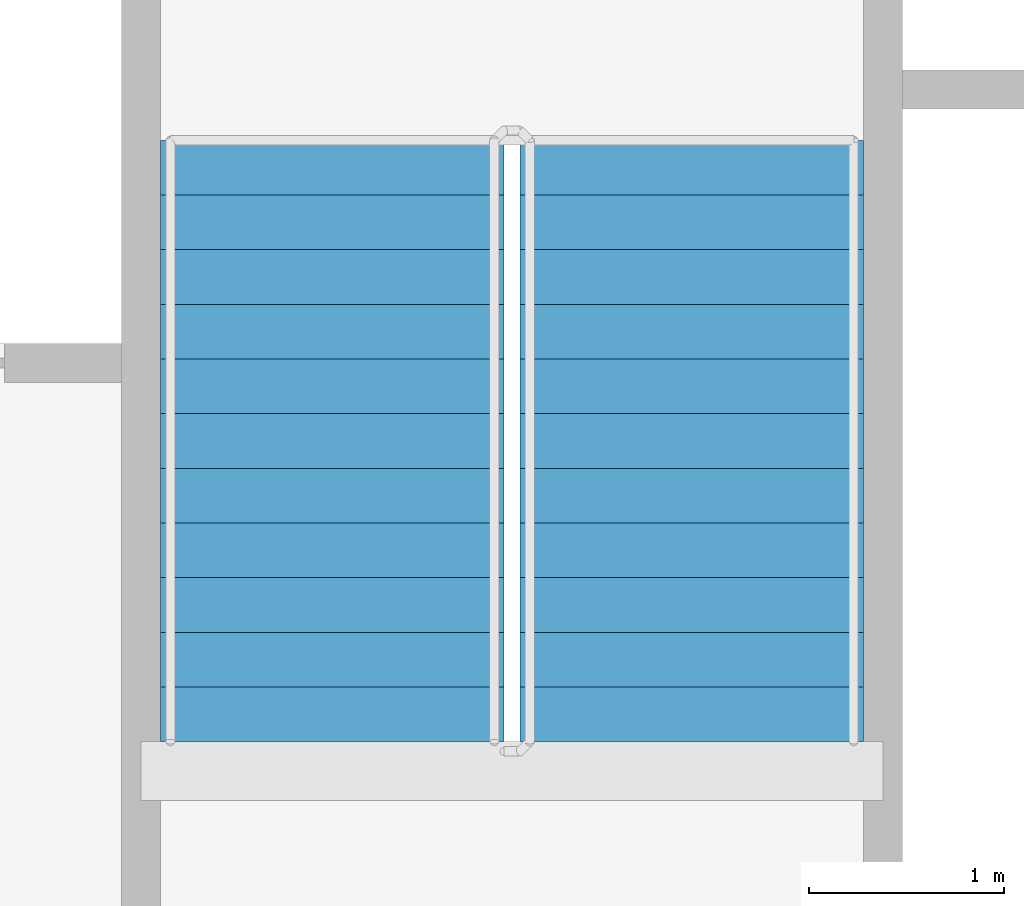
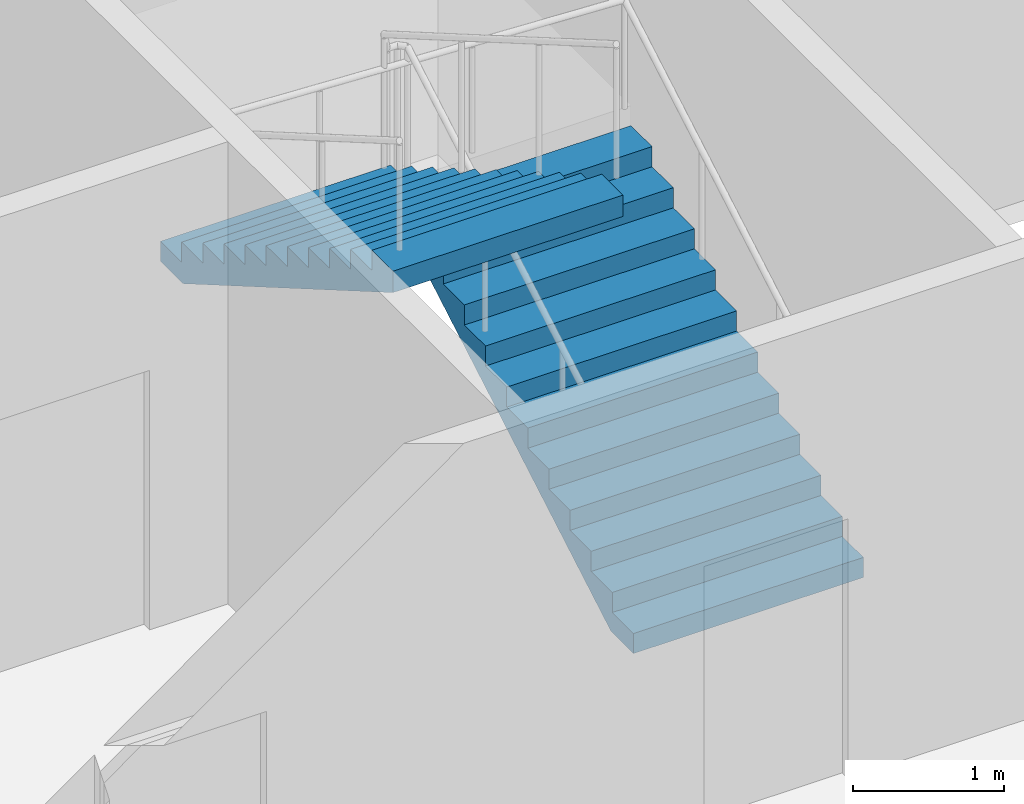
# One storey, part 16 of 21: 2 stair flights, 1 element without a shape of its own.
"""IFC4 building model written with IfcOpenShell, lengths in metres."""

from ifc_helpers import new_model, si_unit, direction, frame, origin, place, context, subcontext, project, spatial, faceted_brep, material, type_object, element, aggregate, save


model = new_model("IFC4")

# Units and contexts
model_context = context("Model", 3, precision=1e-05, world=origin(), true_north=direction((0.0, 1.0)))
body_context = subcontext(model_context, "Body", "Model", "MODEL_VIEW")
ifc_project = project(units=[si_unit("LENGTHUNIT", "METRE"), si_unit("AREAUNIT", "SQUARE_METRE"), si_unit("VOLUMEUNIT", "CUBIC_METRE"), si_unit("PLANEANGLEUNIT", "RADIAN"), si_unit("MASSUNIT", "GRAM", prefix="KILO")], contexts=[model_context])

# Site, building, storey
site_placement = place(None, origin())
site = spatial("IfcSite", under=ifc_project, at=site_placement, CompositionType="ELEMENT")
building_placement = place(site_placement, origin())
building = spatial("IfcBuilding", under=site, at=building_placement, Name="Tarsis Ring Headquarters", CompositionType="ELEMENT")
storey_placement = place(building_placement, frame((0.0, 0.0, 347.0)))
storey = spatial("IfcBuildingStorey", under=building, at=storey_placement, Name="L82", CompositionType="ELEMENT", Elevation=347.0)

# Stair, stair flights
ifc_material_1 = material(Name="Core stair 1760")
stair_type = type_object("IfcStairType", Name="Core stair 1760", PredefinedType="HALF_TURN_STAIR", material=ifc_material_1)
stair_placement = place(storey_placement, origin())
stair = element("IfcStair", 1, at=stair_placement, inside=storey, type_object=stair_type, Name="L82 Exit stair B", PredefinedType="HALF_TURN_STAIR")
ifc_material_2 = material(Name="Concrete C40/50", Category="concrete")
stair_flight_type = type_object("IfcStairFlightType", Name="Core stair flight 1760", PredefinedType="STRAIGHT", material=ifc_material_2)
stair_flight_1_placement = place(storey_placement, frame((5.419921875, 3.659912109375, 0.0), z_axis=(0.0, 0.0, 1.0), x_axis=(0.0, 1.0, 0.0)))
stair_flight_1 = element("IfcStairFlight", 2, at=stair_flight_1_placement, type_object=stair_flight_type, Name="Stair ST2 flight 1", NumberOfRisers=12, NumberOfTreads=11, PredefinedType="STRAIGHT", RiserHeight=0.1625, TreadLength=0.28, context=body_context, shape_type="Brep", body=[
    faceted_brep([(0.0, 0.8798828125, 0.0), (0.0, 0.8798828125, 0.16259765625), (0.280029296875, 0.8798828125, 0.16259765625), (0.280029296875, 0.8798828125, 0.324951171875), (0.56005859375, 0.8798828125, 0.324951171875), (0.56005859375, 0.8798828125, 0.487548828125), (0.840087890625, 0.8798828125, 0.487548828125), (0.840087890625, 0.8798828125, 0.64990234375), (1.1201171875, 0.8798828125, 0.64990234375), (1.1201171875, 0.8798828125, 0.8125), (1.39990234375, 0.8798828125, 0.8125), (1.39990234375, 0.8798828125, 0.97509765625), (1.679931640625, 0.8798828125, 0.97509765625), (1.679931640625, 0.8798828125, 1.137451171875), (1.9599609375, 0.8798828125, 1.137451171875), (1.9599609375, 0.8798828125, 1.300048828125), (2.239990234375, 0.8798828125, 1.300048828125), (2.239990234375, 0.8798828125, 1.46240234375), (2.52001953125, 0.8798828125, 1.46240234375), (2.52001953125, 0.8798828125, 1.625), (2.800048828125, 0.8798828125, 1.625), (2.800048828125, 0.8798828125, 1.78759765625), (3.080078125, 0.8798828125, 1.78759765625), (3.080078125, 0.8798828125, 1.6142578125), (0.298583984375, 0.8798828125, 0.0), (0.298583984375, -0.8798828125, 0.0), (3.080078125, -0.8798828125, 1.6142578125), (3.080078125, -0.8798828125, 1.78759765625), (2.800048828125, -0.8798828125, 1.78759765625), (2.800048828125, -0.8798828125, 1.625), (2.52001953125, -0.8798828125, 1.625), (2.52001953125, -0.8798828125, 1.46240234375), (2.239990234375, -0.8798828125, 1.46240234375), (2.239990234375, -0.8798828125, 1.300048828125), (1.9599609375, -0.8798828125, 1.300048828125), (1.9599609375, -0.8798828125, 1.137451171875), (1.679931640625, -0.8798828125, 1.137451171875), (1.679931640625, -0.8798828125, 0.97509765625), (1.39990234375, -0.8798828125, 0.97509765625), (1.39990234375, -0.8798828125, 0.8125), (1.1201171875, -0.8798828125, 0.8125), (1.1201171875, -0.8798828125, 0.64990234375), (0.840087890625, -0.8798828125, 0.64990234375), (0.840087890625, -0.8798828125, 0.487548828125), (0.56005859375, -0.8798828125, 0.487548828125), (0.56005859375, -0.8798828125, 0.324951171875), (0.280029296875, -0.8798828125, 0.324951171875), (0.280029296875, -0.8798828125, 0.16259765625), (0.0, -0.8798828125, 0.16259765625), (0.0, -0.8798828125, 0.0), (0.0, -0.43994140625, 0.16259765625), (0.0, -0.43994140625, 0.0), (0.0, 0.0, 0.16259765625), (0.0, 0.0, 0.0), (0.0, 0.43994140625, 0.16259765625), (0.0, 0.43994140625, 0.0), (0.280029296875, -0.43994140625, 0.16259765625), (0.280029296875, 0.0, 0.16259765625), (0.280029296875, 0.43994140625, 0.16259765625), (0.280029296875, -0.43994140625, 0.324951171875), (0.280029296875, 0.0, 0.324951171875), (0.280029296875, 0.43994140625, 0.324951171875), (0.56005859375, -0.43994140625, 0.324951171875), (0.56005859375, 0.0, 0.324951171875), (0.56005859375, 0.43994140625, 0.324951171875), (0.56005859375, -0.43994140625, 0.487548828125), (0.56005859375, 0.0, 0.487548828125), (0.56005859375, 0.43994140625, 0.487548828125), (0.840087890625, -0.43994140625, 0.487548828125), (0.840087890625, 0.0, 0.487548828125), (0.840087890625, 0.43994140625, 0.487548828125), (0.840087890625, -0.43994140625, 0.64990234375), (0.840087890625, 0.0, 0.64990234375), (0.840087890625, 0.43994140625, 0.64990234375), (1.1201171875, -0.43994140625, 0.64990234375), (1.1201171875, 0.0, 0.64990234375), (1.1201171875, 0.43994140625, 0.64990234375), (1.1201171875, -0.43994140625, 0.8125), (1.1201171875, 0.0, 0.8125), (1.1201171875, 0.43994140625, 0.8125), (1.39990234375, -0.43994140625, 0.8125), (1.39990234375, 0.0, 0.8125), (1.39990234375, 0.43994140625, 0.8125), (1.39990234375, -0.43994140625, 0.97509765625), (1.39990234375, 0.0, 0.97509765625), (1.39990234375, 0.43994140625, 0.97509765625), (1.679931640625, -0.43994140625, 0.97509765625), (1.679931640625, 0.0, 0.97509765625), (1.679931640625, 0.43994140625, 0.97509765625), (1.679931640625, -0.43994140625, 1.137451171875), (1.679931640625, 0.0, 1.137451171875), (1.679931640625, 0.43994140625, 1.137451171875), (1.9599609375, -0.43994140625, 1.137451171875), (1.9599609375, 0.0, 1.137451171875), (1.9599609375, 0.43994140625, 1.137451171875), (1.9599609375, -0.43994140625, 1.300048828125), (1.9599609375, 0.0, 1.300048828125), (1.9599609375, 0.43994140625, 1.300048828125), (2.239990234375, -0.43994140625, 1.300048828125), (2.239990234375, 0.0, 1.300048828125), (2.239990234375, 0.43994140625, 1.300048828125), (2.239990234375, -0.43994140625, 1.46240234375), (2.239990234375, 0.0, 1.46240234375), (2.239990234375, 0.43994140625, 1.46240234375), (2.52001953125, -0.43994140625, 1.46240234375), (2.52001953125, 0.0, 1.46240234375), (2.52001953125, 0.43994140625, 1.46240234375), (2.52001953125, -0.43994140625, 1.625), (2.52001953125, 0.0, 1.625), (2.52001953125, 0.43994140625, 1.625), (2.800048828125, -0.43994140625, 1.625), (2.800048828125, 0.0, 1.625), (2.800048828125, 0.43994140625, 1.625), (2.800048828125, -0.43994140625, 1.78759765625), (2.800048828125, 0.0, 1.78759765625), (2.800048828125, 0.43994140625, 1.78759765625), (3.080078125, -0.43994140625, 1.78759765625), (3.080078125, 0.0, 1.78759765625), (3.080078125, 0.43994140625, 1.78759765625), (3.080078125, -0.43994140625, 1.6142578125), (3.080078125, 0.0, 1.6142578125), (3.080078125, 0.43994140625, 1.6142578125), (0.298583984375, -0.43994140625, 0.0), (0.298583984375, 0.0, 0.0), (0.298583984375, 0.43994140625, 0.0)], [[[0, 1, 2, 3, 4, 5, 6, 7, 8, 9, 10, 11, 12, 13, 14, 15, 16, 17, 18, 19, 20, 21, 22, 23, 24]], [[25, 26, 27, 28, 29, 30, 31, 32, 33, 34, 35, 36, 37, 38, 39, 40, 41, 42, 43, 44, 45, 46, 47, 48, 49]], [[49, 48, 50, 51]], [[51, 50, 52, 53]], [[53, 52, 54, 55]], [[55, 54, 1, 0]], [[48, 47, 56, 50]], [[50, 56, 57, 52]], [[52, 57, 58, 54]], [[54, 58, 2, 1]], [[47, 46, 59, 56]], [[56, 59, 60, 57]], [[57, 60, 61, 58]], [[58, 61, 3, 2]], [[46, 45, 62, 59]], [[59, 62, 63, 60]], [[60, 63, 64, 61]], [[61, 64, 4, 3]], [[45, 44, 65, 62]], [[62, 65, 66, 63]], [[63, 66, 67, 64]], [[64, 67, 5, 4]], [[44, 43, 68, 65]], [[65, 68, 69, 66]], [[66, 69, 70, 67]], [[67, 70, 6, 5]], [[43, 42, 71, 68]], [[68, 71, 72, 69]], [[69, 72, 73, 70]], [[70, 73, 7, 6]], [[42, 41, 74, 71]], [[71, 74, 75, 72]], [[72, 75, 76, 73]], [[73, 76, 8, 7]], [[41, 40, 77, 74]], [[74, 77, 78, 75]], [[75, 78, 79, 76]], [[76, 79, 9, 8]], [[40, 39, 80, 77]], [[77, 80, 81, 78]], [[78, 81, 82, 79]], [[79, 82, 10, 9]], [[39, 38, 83, 80]], [[80, 83, 84, 81]], [[81, 84, 85, 82]], [[82, 85, 11, 10]], [[38, 37, 86, 83]], [[83, 86, 87, 84]], [[84, 87, 88, 85]], [[85, 88, 12, 11]], [[37, 36, 89, 86]], [[86, 89, 90, 87]], [[87, 90, 91, 88]], [[88, 91, 13, 12]], [[36, 35, 92, 89]], [[89, 92, 93, 90]], [[90, 93, 94, 91]], [[91, 94, 14, 13]], [[35, 34, 95, 92]], [[92, 95, 96, 93]], [[93, 96, 97, 94]], [[94, 97, 15, 14]], [[34, 33, 98, 95]], [[95, 98, 99, 96]], [[96, 99, 100, 97]], [[97, 100, 16, 15]], [[33, 32, 101, 98]], [[98, 101, 102, 99]], [[99, 102, 103, 100]], [[100, 103, 17, 16]], [[32, 31, 104, 101]], [[101, 104, 105, 102]], [[102, 105, 106, 103]], [[103, 106, 18, 17]], [[31, 30, 107, 104]], [[104, 107, 108, 105]], [[105, 108, 109, 106]], [[106, 109, 19, 18]], [[30, 29, 110, 107]], [[107, 110, 111, 108]], [[108, 111, 112, 109]], [[109, 112, 20, 19]], [[29, 28, 113, 110]], [[110, 113, 114, 111]], [[111, 114, 115, 112]], [[112, 115, 21, 20]], [[28, 27, 116, 113]], [[113, 116, 117, 114]], [[114, 117, 118, 115]], [[115, 118, 22, 21]], [[27, 26, 119, 116]], [[116, 119, 120, 117]], [[117, 120, 121, 118]], [[118, 121, 23, 22]], [[26, 25, 122, 119]], [[119, 122, 123, 120]], [[120, 123, 124, 121]], [[121, 124, 24, 23]], [[25, 49, 51, 122]], [[122, 51, 53, 123]], [[123, 53, 55, 124]], [[124, 55, 0, 24]]]),
])
stair_flight_2_placement = place(storey_placement, frame((3.580078125, 6.739990234375, 1.949951171875), z_axis=(0.0, 0.0, 1.0), x_axis=(0.0, -1.0, 0.0)))
stair_flight_2 = element("IfcStairFlight", 3, at=stair_flight_2_placement, type_object=stair_flight_type, Name="Stair ST2 flight 2", NumberOfRisers=12, NumberOfTreads=11, PredefinedType="STRAIGHT", RiserHeight=0.1625, TreadLength=0.28, context=body_context, shape_type="Brep", body=[
    faceted_brep([(0.0, 0.8798828125, 0.0), (0.0, 0.8798828125, 0.16259765625), (0.280029296875, 0.8798828125, 0.16259765625), (0.280029296875, 0.8798828125, 0.324951171875), (0.56005859375, 0.8798828125, 0.324951171875), (0.56005859375, 0.8798828125, 0.487548828125), (0.840087890625, 0.8798828125, 0.487548828125), (0.840087890625, 0.8798828125, 0.64990234375), (1.1201171875, 0.8798828125, 0.64990234375), (1.1201171875, 0.8798828125, 0.8125), (1.39990234375, 0.8798828125, 0.8125), (1.39990234375, 0.8798828125, 0.97509765625), (1.679931640625, 0.8798828125, 0.97509765625), (1.679931640625, 0.8798828125, 1.137451171875), (1.9599609375, 0.8798828125, 1.137451171875), (1.9599609375, 0.8798828125, 1.300048828125), (2.239990234375, 0.8798828125, 1.300048828125), (2.239990234375, 0.8798828125, 1.46240234375), (2.52001953125, 0.8798828125, 1.46240234375), (2.52001953125, 0.8798828125, 1.625), (2.800048828125, 0.8798828125, 1.625), (2.800048828125, 0.8798828125, 1.78759765625), (3.080078125, 0.8798828125, 1.78759765625), (3.080078125, 0.8798828125, 1.6142578125), (0.298583984375, 0.8798828125, 0.0), (0.298583984375, -0.8798828125, 0.0), (3.080078125, -0.8798828125, 1.6142578125), (3.080078125, -0.8798828125, 1.78759765625), (2.800048828125, -0.8798828125, 1.78759765625), (2.800048828125, -0.8798828125, 1.625), (2.52001953125, -0.8798828125, 1.625), (2.52001953125, -0.8798828125, 1.46240234375), (2.239990234375, -0.8798828125, 1.46240234375), (2.239990234375, -0.8798828125, 1.300048828125), (1.9599609375, -0.8798828125, 1.300048828125), (1.9599609375, -0.8798828125, 1.137451171875), (1.679931640625, -0.8798828125, 1.137451171875), (1.679931640625, -0.8798828125, 0.97509765625), (1.39990234375, -0.8798828125, 0.97509765625), (1.39990234375, -0.8798828125, 0.8125), (1.1201171875, -0.8798828125, 0.8125), (1.1201171875, -0.8798828125, 0.64990234375), (0.840087890625, -0.8798828125, 0.64990234375), (0.840087890625, -0.8798828125, 0.487548828125), (0.56005859375, -0.8798828125, 0.487548828125), (0.56005859375, -0.8798828125, 0.324951171875), (0.280029296875, -0.8798828125, 0.324951171875), (0.280029296875, -0.8798828125, 0.16259765625), (0.0, -0.8798828125, 0.16259765625), (0.0, -0.8798828125, 0.0), (0.0, -0.43994140625, 0.16259765625), (0.0, -0.43994140625, 0.0), (0.0, 0.0, 0.16259765625), (0.0, 0.0, 0.0), (0.0, 0.43994140625, 0.16259765625), (0.0, 0.43994140625, 0.0), (0.280029296875, -0.43994140625, 0.16259765625), (0.280029296875, 0.0, 0.16259765625), (0.280029296875, 0.43994140625, 0.16259765625), (0.280029296875, -0.43994140625, 0.324951171875), (0.280029296875, 0.0, 0.324951171875), (0.280029296875, 0.43994140625, 0.324951171875), (0.56005859375, -0.43994140625, 0.324951171875), (0.56005859375, 0.0, 0.324951171875), (0.56005859375, 0.43994140625, 0.324951171875), (0.56005859375, -0.43994140625, 0.487548828125), (0.56005859375, 0.0, 0.487548828125), (0.56005859375, 0.43994140625, 0.487548828125), (0.840087890625, -0.43994140625, 0.487548828125), (0.840087890625, 0.0, 0.487548828125), (0.840087890625, 0.43994140625, 0.487548828125), (0.840087890625, -0.43994140625, 0.64990234375), (0.840087890625, 0.0, 0.64990234375), (0.840087890625, 0.43994140625, 0.64990234375), (1.1201171875, -0.43994140625, 0.64990234375), (1.1201171875, 0.0, 0.64990234375), (1.1201171875, 0.43994140625, 0.64990234375), (1.1201171875, -0.43994140625, 0.8125), (1.1201171875, 0.0, 0.8125), (1.1201171875, 0.43994140625, 0.8125), (1.39990234375, -0.43994140625, 0.8125), (1.39990234375, 0.0, 0.8125), (1.39990234375, 0.43994140625, 0.8125), (1.39990234375, -0.43994140625, 0.97509765625), (1.39990234375, 0.0, 0.97509765625), (1.39990234375, 0.43994140625, 0.97509765625), (1.679931640625, -0.43994140625, 0.97509765625), (1.679931640625, 0.0, 0.97509765625), (1.679931640625, 0.43994140625, 0.97509765625), (1.679931640625, -0.43994140625, 1.137451171875), (1.679931640625, 0.0, 1.137451171875), (1.679931640625, 0.43994140625, 1.137451171875), (1.9599609375, -0.43994140625, 1.137451171875), (1.9599609375, 0.0, 1.137451171875), (1.9599609375, 0.43994140625, 1.137451171875), (1.9599609375, -0.43994140625, 1.300048828125), (1.9599609375, 0.0, 1.300048828125), (1.9599609375, 0.43994140625, 1.300048828125), (2.239990234375, -0.43994140625, 1.300048828125), (2.239990234375, 0.0, 1.300048828125), (2.239990234375, 0.43994140625, 1.300048828125), (2.239990234375, -0.43994140625, 1.46240234375), (2.239990234375, 0.0, 1.46240234375), (2.239990234375, 0.43994140625, 1.46240234375), (2.52001953125, -0.43994140625, 1.46240234375), (2.52001953125, 0.0, 1.46240234375), (2.52001953125, 0.43994140625, 1.46240234375), (2.52001953125, -0.43994140625, 1.625), (2.52001953125, 0.0, 1.625), (2.52001953125, 0.43994140625, 1.625), (2.800048828125, -0.43994140625, 1.625), (2.800048828125, 0.0, 1.625), (2.800048828125, 0.43994140625, 1.625), (2.800048828125, -0.43994140625, 1.78759765625), (2.800048828125, 0.0, 1.78759765625), (2.800048828125, 0.43994140625, 1.78759765625), (3.080078125, -0.43994140625, 1.78759765625), (3.080078125, 0.0, 1.78759765625), (3.080078125, 0.43994140625, 1.78759765625), (3.080078125, -0.43994140625, 1.6142578125), (3.080078125, 0.0, 1.6142578125), (3.080078125, 0.43994140625, 1.6142578125), (0.298583984375, -0.43994140625, 0.0), (0.298583984375, 0.0, 0.0), (0.298583984375, 0.43994140625, 0.0)], [[[0, 1, 2, 3, 4, 5, 6, 7, 8, 9, 10, 11, 12, 13, 14, 15, 16, 17, 18, 19, 20, 21, 22, 23, 24]], [[25, 26, 27, 28, 29, 30, 31, 32, 33, 34, 35, 36, 37, 38, 39, 40, 41, 42, 43, 44, 45, 46, 47, 48, 49]], [[49, 48, 50, 51]], [[51, 50, 52, 53]], [[53, 52, 54, 55]], [[55, 54, 1, 0]], [[48, 47, 56, 50]], [[50, 56, 57, 52]], [[52, 57, 58, 54]], [[54, 58, 2, 1]], [[47, 46, 59, 56]], [[56, 59, 60, 57]], [[57, 60, 61, 58]], [[58, 61, 3, 2]], [[46, 45, 62, 59]], [[59, 62, 63, 60]], [[60, 63, 64, 61]], [[61, 64, 4, 3]], [[45, 44, 65, 62]], [[62, 65, 66, 63]], [[63, 66, 67, 64]], [[64, 67, 5, 4]], [[44, 43, 68, 65]], [[65, 68, 69, 66]], [[66, 69, 70, 67]], [[67, 70, 6, 5]], [[43, 42, 71, 68]], [[68, 71, 72, 69]], [[69, 72, 73, 70]], [[70, 73, 7, 6]], [[42, 41, 74, 71]], [[71, 74, 75, 72]], [[72, 75, 76, 73]], [[73, 76, 8, 7]], [[41, 40, 77, 74]], [[74, 77, 78, 75]], [[75, 78, 79, 76]], [[76, 79, 9, 8]], [[40, 39, 80, 77]], [[77, 80, 81, 78]], [[78, 81, 82, 79]], [[79, 82, 10, 9]], [[39, 38, 83, 80]], [[80, 83, 84, 81]], [[81, 84, 85, 82]], [[82, 85, 11, 10]], [[38, 37, 86, 83]], [[83, 86, 87, 84]], [[84, 87, 88, 85]], [[85, 88, 12, 11]], [[37, 36, 89, 86]], [[86, 89, 90, 87]], [[87, 90, 91, 88]], [[88, 91, 13, 12]], [[36, 35, 92, 89]], [[89, 92, 93, 90]], [[90, 93, 94, 91]], [[91, 94, 14, 13]], [[35, 34, 95, 92]], [[92, 95, 96, 93]], [[93, 96, 97, 94]], [[94, 97, 15, 14]], [[34, 33, 98, 95]], [[95, 98, 99, 96]], [[96, 99, 100, 97]], [[97, 100, 16, 15]], [[33, 32, 101, 98]], [[98, 101, 102, 99]], [[99, 102, 103, 100]], [[100, 103, 17, 16]], [[32, 31, 104, 101]], [[101, 104, 105, 102]], [[102, 105, 106, 103]], [[103, 106, 18, 17]], [[31, 30, 107, 104]], [[104, 107, 108, 105]], [[105, 108, 109, 106]], [[106, 109, 19, 18]], [[30, 29, 110, 107]], [[107, 110, 111, 108]], [[108, 111, 112, 109]], [[109, 112, 20, 19]], [[29, 28, 113, 110]], [[110, 113, 114, 111]], [[111, 114, 115, 112]], [[112, 115, 21, 20]], [[28, 27, 116, 113]], [[113, 116, 117, 114]], [[114, 117, 118, 115]], [[115, 118, 22, 21]], [[27, 26, 119, 116]], [[116, 119, 120, 117]], [[117, 120, 121, 118]], [[118, 121, 23, 22]], [[26, 25, 122, 119]], [[119, 122, 123, 120]], [[120, 123, 124, 121]], [[121, 124, 24, 23]], [[25, 49, 51, 122]], [[122, 51, 53, 123]], [[123, 53, 55, 124]], [[124, 55, 0, 24]]]),
])
aggregate(stair, [stair_flight_1, stair_flight_2])

save(model, "model.ifc")
